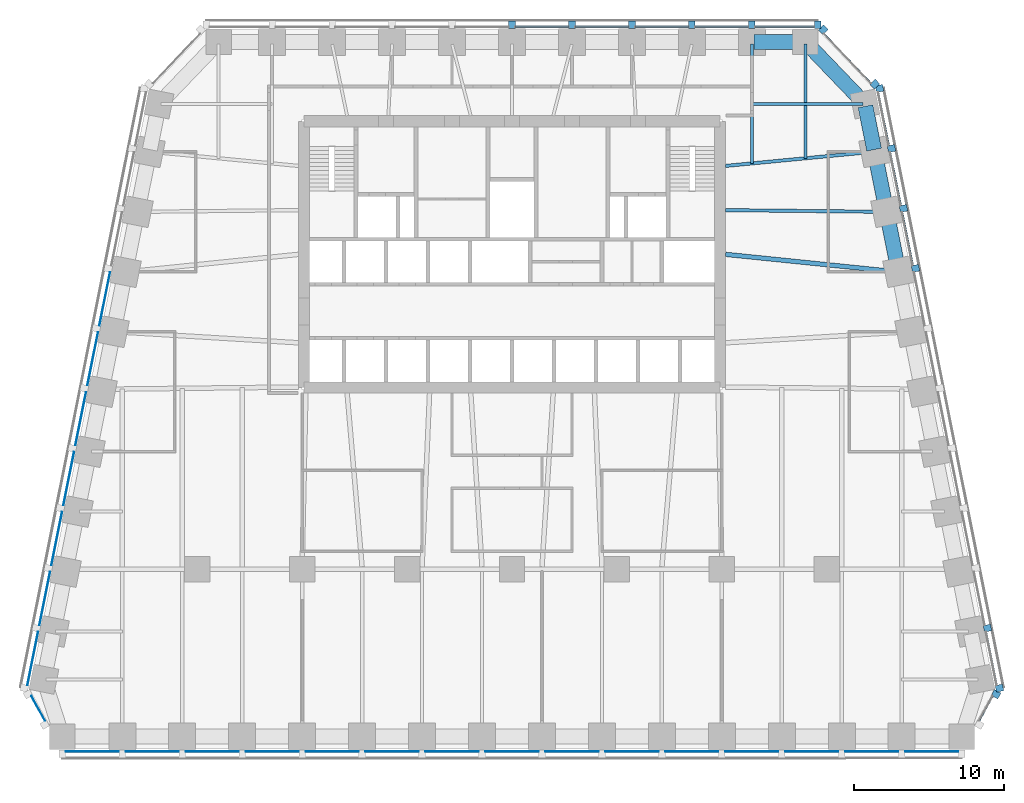
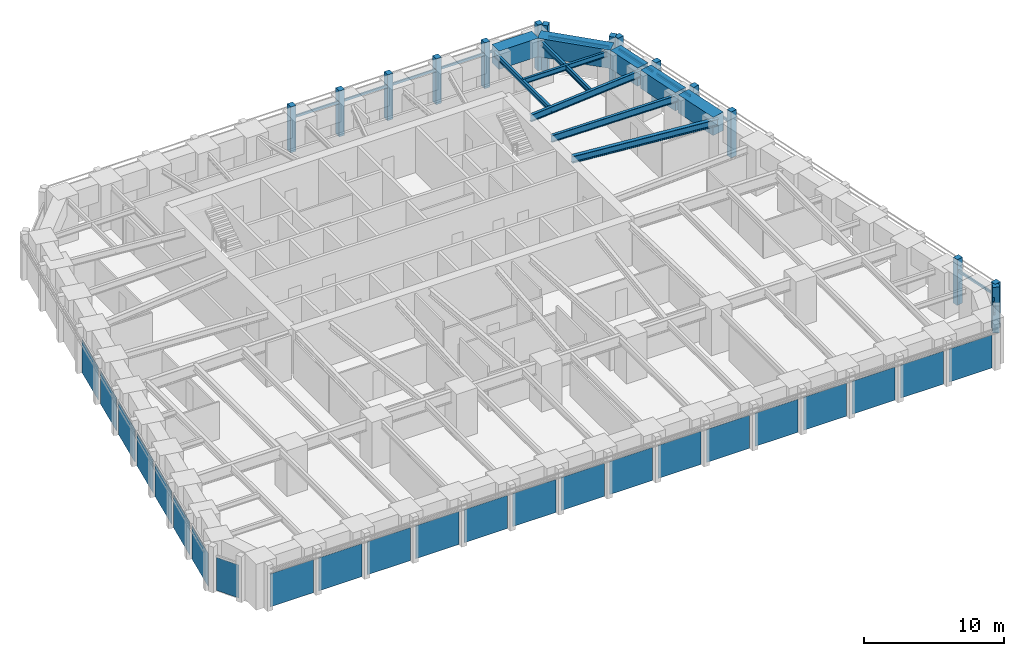
# One storey, part 4 of 10: 26 members, 23 plates, 11 beams, 7 elements without a shape of their own.
"""IFC4 building model written with IfcOpenShell, lengths in metres."""

import ifcopenshell
import ifcopenshell.guid

model = None  # the IFC model being written
_history = None  # IfcOwnerHistory: only IFC2X3 demands one
_inside = {}  # id of a spatial element -> (the spatial element, [elements in it])
_under = {}  # id of a project, library or spatial element -> (it, [spatial elements below it])
_declared = {}  # id of a project -> (the project, [libraries it declares])
_typed = {}  # id of a type object -> (the type object, [elements of that type])
_made_of = {}  # id of a material, layer set ... -> (it, [elements and type objects made of it])


def new_model(schema):
    """Start an empty IFC model of exactly this schema.

    Asked for "IFC4X3", IfcOpenShell would pick the latest addendum, in which some entities
    have other attributes; the version numbers below select the first issue.
    IFC2X3 requires an IfcOwnerHistory on every rooted entity: one is made here for all.
    """
    global model, _history
    if schema == "IFC4X3":
        model = ifcopenshell.file(schema_version=(4, 3, 0, 0))
    else:
        model = ifcopenshell.file(schema=schema)
    _inside.clear()
    _under.clear()
    _declared.clear()
    _typed.clear()
    _made_of.clear()
    _history = None
    if model.schema == "IFC2X3":
        org = make("IfcOrganization", Name="unknown")
        user = make(
            "IfcPersonAndOrganization",
            ThePerson=make("IfcPerson", FamilyName="unknown"),
            TheOrganization=org,
        )
        app = make(
            "IfcApplication",
            ApplicationDeveloper=org,
            Version="unknown",
            ApplicationFullName="unknown",
            ApplicationIdentifier="unknown",
        )
        _history = make(
            "IfcOwnerHistory",
            OwningUser=user,
            OwningApplication=app,
            ChangeAction="ADDED",
            CreationDate=0,
        )
    return model


def make(cls, **values):
    """One entity of the class cls with the attributes given. An attribute that is None is left unset."""
    return model.create_entity(
        cls, **{name: value for name, value in values.items() if value is not None}
    )


def rooted(cls, **values):
    """An entity with a GlobalId (a new one), such as an element, a storey or a relation."""
    return make(cls, GlobalId=ifcopenshell.guid.new(), OwnerHistory=_history, **values)


def si_unit(unit_type, name, prefix=None):
    """IfcSIUnit, for example si_unit("LENGTHUNIT", "METRE", prefix="MILLI")."""
    return make("IfcSIUnit", UnitType=unit_type, Prefix=prefix, Name=name)


def assignment(units):
    """IfcUnitAssignment: the units of a project."""
    return None if units is None else make("IfcUnitAssignment", Units=units)


def point(xyz):
    """IfcCartesianPoint."""
    return None if xyz is None else make("IfcCartesianPoint", Coordinates=xyz)


def direction(xyz):
    """IfcDirection."""
    return None if xyz is None else make("IfcDirection", DirectionRatios=xyz)


def frame(location, z_axis=None, x_axis=None):
    """IfcAxis2Placement3D, a coordinate frame: its origin and axes. An axis left out is left unset."""
    return make(
        "IfcAxis2Placement3D",
        Location=point(location),
        Axis=direction(z_axis),
        RefDirection=direction(x_axis),
    )


def frame_2d(location, x_axis=None):
    """IfcAxis2Placement2D, a coordinate frame in the plane: its origin and x axis."""
    return make(
        "IfcAxis2Placement2D", Location=point(location), RefDirection=direction(x_axis)
    )


def origin():
    """The frame at (0, 0, 0) with its axes left unset."""
    return frame((0.0, 0.0, 0.0))


def origin_2d():
    """The frame at (0, 0) in the plane with its x axis left unset."""
    return frame_2d((0.0, 0.0))


def place(relative_to, where):
    """IfcLocalPlacement: puts the frame where relative to a parent placement (None: the world)."""
    return make(
        "IfcLocalPlacement", PlacementRelTo=relative_to, RelativePlacement=where
    )


def context(
    kind, dimensions, precision=None, world=None, true_north=None, identifier=None
):
    """IfcGeometricRepresentationContext, for example the 3D "Model" context."""
    return make(
        "IfcGeometricRepresentationContext",
        ContextIdentifier=identifier,
        ContextType=kind,
        CoordinateSpaceDimension=dimensions,
        Precision=precision,
        WorldCoordinateSystem=world,
        TrueNorth=true_north,
    )


def subcontext(parent, identifier, kind, view, scale=None):
    """IfcGeometricRepresentationSubContext, for example "Body" below "Model"."""
    return make(
        "IfcGeometricRepresentationSubContext",
        ContextIdentifier=identifier,
        ContextType=kind,
        ParentContext=parent,
        TargetScale=scale,
        TargetView=view,
    )


def project(units=None, contexts=None):
    """IfcProject with its units and contexts."""
    return rooted(
        "IfcProject",
        Name="project",
        RepresentationContexts=contexts,
        UnitsInContext=assignment(units),
    )


def spatial(cls, under=None, at=None, **own):
    """A site, building, storey or space (cls), placed at a placement, below another one or the project."""
    s = rooted(cls, ObjectPlacement=at, **own)
    if under is not None:
        _under.setdefault(under.id(), (under, []))[1].append(s)
    return s


def profile(cls, at=None, kind="AREA", **sizes):
    """A parametric profile (cls). Its sizes go by their IFC names, for example OverallWidth=200.0."""
    return make(cls, ProfileType=kind, Position=at, **sizes)


def rectangle(**sizes):
    """IfcRectangleProfileDef."""
    return profile("IfcRectangleProfileDef", **sizes)


def i_section(**sizes):
    """IfcIShapeProfileDef."""
    return profile("IfcIShapeProfileDef", **sizes)


def extrude(swept, where, along, depth):
    """IfcExtrudedAreaSolid: the profile swept, set in the frame where, extruded along a direction by depth."""
    return make(
        "IfcExtrudedAreaSolid",
        SweptArea=swept,
        Position=where,
        ExtrudedDirection=direction(along),
        Depth=depth,
    )


def shape(context_of_items, identifier, shape_type, items):
    """IfcShapeRepresentation: the items that make up one representation, for example the "Body"."""
    return make(
        "IfcShapeRepresentation",
        ContextOfItems=context_of_items,
        RepresentationIdentifier=identifier,
        RepresentationType=shape_type,
        Items=items,
    )


def material(Name=None, Category=None):
    """IfcMaterial."""
    return make("IfcMaterial", Name=Name, Category=Category)


def layer(
    of_material, thickness, ventilated=None, Name=None, Category=None, Priority=None
):
    """IfcMaterialLayer: one layer of a wall or slab, of a material (None: an air gap)."""
    return make(
        "IfcMaterialLayer",
        Material=of_material,
        LayerThickness=thickness,
        IsVentilated=ventilated,
        Name=Name,
        Category=Category,
        Priority=Priority,
    )


def layer_set(layers, Name=None):
    """IfcMaterialLayerSet."""
    return make("IfcMaterialLayerSet", MaterialLayers=layers, LayerSetName=Name)


def material_profile(
    of_material, cross_section, Name=None, Category=None, Priority=None
):
    """IfcMaterialProfile: a cross section and its material."""
    return make(
        "IfcMaterialProfile",
        Name=Name,
        Material=of_material,
        Profile=cross_section,
        Priority=Priority,
        Category=Category,
    )


def profile_set(profiles, Name=None, composite=None):
    """IfcMaterialProfileSet."""
    return make(
        "IfcMaterialProfileSet",
        Name=Name,
        MaterialProfiles=profiles,
        CompositeProfile=composite,
    )


def made_of(thing, what):
    """Note that an element or type object is made of a material, layer set ...; save() writes the relation."""
    if what is not None:
        _made_of.setdefault(what.id(), (what, []))[1].append(thing)
    return thing


def type_object(cls, material=None, **own):
    """A type object (cls), such as IfcWallType, which elements share."""
    return made_of(rooted(cls, **own), material)


def element(
    cls,
    number,
    at=None,
    inside=None,
    cuts=None,
    type_object=None,
    material=None,
    context=None,
    identifier="Body",
    shape_type=None,
    held_by="IfcProductDefinitionShape",
    body=None,
    shapes=None,
    **own,
):
    """One element of the class cls, such as IfcWall. Its Tag is "e" and its number.

    at: its placement. inside: the storey or other place that contains it. cuts: it is an
    opening in that element (IfcRelVoidsElement). A single representation is given by context,
    identifier, shape_type and body (its items); several are given by shapes. held_by: the class
    of the entity that holds the representations. save() writes the other relations.
    """
    e = rooted(cls, Tag="e%d" % number, ObjectPlacement=at, **own)
    if body is not None:
        shapes = [shape(context, identifier, shape_type, body)]
    if shapes is not None:
        e.Representation = make(held_by, Representations=shapes)
    if inside is not None:
        _inside.setdefault(inside.id(), (inside, []))[1].append(e)
    if cuts is not None:
        rooted(
            "IfcRelVoidsElement", RelatingBuildingElement=cuts, RelatedOpeningElement=e
        )
    if type_object is not None:
        _typed.setdefault(type_object.id(), (type_object, []))[1].append(e)
    return made_of(e, material)


def aggregate(whole, parts):
    """IfcRelAggregates: a whole, such as a stair, and the parts it consists of."""
    return rooted("IfcRelAggregates", RelatingObject=whole, RelatedObjects=parts)


def save(model, path):
    """Write the relations noted so far, then the file.

    IfcRelAggregates (storeys below a building ...), IfcRelContainedInSpatialStructure (elements
    in a storey), IfcRelDefinesByType, IfcRelAssociatesMaterial and IfcRelDeclares: one each for
    every whole, place, type object, material and project.
    """
    for whole, parts in _under.values():
        aggregate(whole, parts)
    for where, things in _inside.values():
        rooted(
            "IfcRelContainedInSpatialStructure",
            RelatedElements=things,
            RelatingStructure=where,
        )
    for kind, things in _typed.values():
        rooted("IfcRelDefinesByType", RelatedObjects=things, RelatingType=kind)
    for what, things in _made_of.values():
        rooted("IfcRelAssociatesMaterial", RelatedObjects=things, RelatingMaterial=what)
    for by, libraries in _declared.values():
        rooted("IfcRelDeclares", RelatingContext=by, RelatedDefinitions=libraries)
    model.write(path)


model = new_model("IFC4")

# Units and contexts
model_context = context("Model", 3, precision=1e-05, world=origin(), true_north=direction((0.0, 1.0)))
body_context = subcontext(model_context, "Body", "Model", "MODEL_VIEW")
ifc_project = project(units=[si_unit("LENGTHUNIT", "METRE"), si_unit("AREAUNIT", "SQUARE_METRE"), si_unit("VOLUMEUNIT", "CUBIC_METRE"), si_unit("PLANEANGLEUNIT", "RADIAN"), si_unit("MASSUNIT", "GRAM", prefix="KILO")], contexts=[model_context])

# Site, building, storey
site_placement = place(None, origin())
site = spatial("IfcSite", under=ifc_project, at=site_placement, CompositionType="ELEMENT")
building_placement = place(site_placement, origin())
building = spatial("IfcBuilding", under=site, at=building_placement, Name="Isbrekke Arena Tower", CompositionType="ELEMENT")
storey_placement = place(building_placement, frame((0.0, 0.0, 143.0)))
storey = spatial("IfcBuildingStorey", under=building, at=storey_placement, Name="L32", CompositionType="ELEMENT", Elevation=143.0)

# Beams
ifc_material_1 = material(Name="Steel S355", Category="steel")
ifc_material_profile_1 = material_profile(ifc_material_1, i_section(OverallWidth=0.219970703125, OverallDepth=0.60009765625, WebThickness=0.011962890625, FlangeThickness=0.01904296875, FilletRadius=0.02392578125, at=origin_2d()), Name="IPE 600")
ifc_profile_set_1 = profile_set([ifc_material_profile_1], Name="Steel S355")
beam_type_1 = type_object("IfcBeamType", Name="B1 IPE 600", PredefinedType="BEAM", material=ifc_profile_set_1)
beam_1_placement = place(storey_placement, frame((24.83984375, 17.838134765625, 3.550048828125), z_axis=(-0.999944260169, 0.010558245831, 0.0), x_axis=(-0.010558245831, -0.999944260169, 0.0)))
element("IfcBeam", 1, at=beam_1_placement, inside=storey, type_object=beam_type_1, Name="B1 beam E-E09 L32", PredefinedType="BEAM", context=body_context, shape_type="SweptSolid", body=[
    extrude(i_section(OverallWidth=0.219970703125, OverallDepth=0.60009765625, WebThickness=0.011962890625, FlangeThickness=0.01904296875, FilletRadius=0.02392578125, at=origin_2d()), origin(), (0.0, 0.0, 1.0), 10.59033203125),
])
beam_2_placement = place(storey_placement, frame((24.030517578125, 21.837158203125, 3.550048828125), z_axis=(-0.995439798606, -0.095391862082, 0.0), x_axis=(0.095391862082, -0.995439798606, 0.0)))
element("IfcBeam", 2, at=beam_2_placement, inside=storey, type_object=beam_type_1, Name="B1 beam E-E10 L32", PredefinedType="BEAM", context=body_context, shape_type="SweptSolid", body=[
    extrude(i_section(OverallWidth=0.219970703125, OverallDepth=0.60009765625, WebThickness=0.011962890625, FlangeThickness=0.01904296875, FilletRadius=0.02392578125, at=origin_2d()), origin(), (0.0, 0.0, 1.0), 9.825439453125),
])
ifc_material_2 = material(Name="Steel S355", Category="steel")
ifc_material_profile_2 = material_profile(ifc_material_2, i_section(OverallWidth=0.18994140625, OverallDepth=0.449951171875, WebThickness=0.009521484375, FlangeThickness=0.0146484375, FilletRadius=0.02099609375, at=origin_2d()), Name="IPE 450")
ifc_profile_set_2 = profile_set([ifc_material_profile_2], Name="Steel S355")
beam_type_2 = type_object("IfcBeamType", Name="B2 IPE 450", PredefinedType="BEAM", material=ifc_profile_set_2)
beam_3_placement = place(storey_placement, frame((23.40283203125, 25.029296875, 3.625), z_axis=(-1.0, 0.0, 0.0), x_axis=(0.0, -1.0, 0.0)))
element("IfcBeam", 3, at=beam_3_placement, inside=storey, type_object=beam_type_2, Name="B2 beam E-E11 L32", PredefinedType="BEAM", context=body_context, shape_type="SweptSolid", body=[
    extrude(i_section(OverallWidth=0.18994140625, OverallDepth=0.449951171875, WebThickness=0.009521484375, FlangeThickness=0.0146484375, FilletRadius=0.02099609375, at=origin_2d()), origin(), (0.0, 0.0, 1.0), 7.40283203125),
])
ifc_material_3 = material(Name="Steel S355", Category="steel")
ifc_material_profile_3 = material_profile(ifc_material_3, i_section(OverallWidth=0.18994140625, OverallDepth=0.449951171875, WebThickness=0.009521484375, FlangeThickness=0.0146484375, FilletRadius=0.02099609375, at=origin_2d()), Name="IPE 450")
ifc_profile_set_3 = profile_set([ifc_material_profile_3], Name="Steel S355")
beam_type_3 = type_object("IfcBeamType", Name="B3 IPE 450", PredefinedType="BEAM", material=ifc_profile_set_3)
beam_4_placement = place(storey_placement, frame((19.574951171875, 29.02490234375, 3.625), z_axis=(0.0, -1.0, 0.0), x_axis=(1.0, 0.0, 0.0)))
element("IfcBeam", 4, at=beam_4_placement, inside=storey, type_object=beam_type_3, Name="B3 beam N-N01 L32", PredefinedType="BEAM", context=body_context, shape_type="SweptSolid", body=[
    extrude(i_section(OverallWidth=0.18994140625, OverallDepth=0.449951171875, WebThickness=0.009521484375, FlangeThickness=0.0146484375, FilletRadius=0.02099609375, at=origin_2d()), origin(), (0.0, 0.0, 1.0), 7.61474609375),
])
beam_5_placement = place(storey_placement, frame((16.0, 29.02490234375, 3.625), z_axis=(0.0, -1.0, 0.0), x_axis=(1.0, 0.0, 0.0)))
element("IfcBeam", 5, at=beam_5_placement, inside=storey, type_object=beam_type_3, Name="B3 beam N-N02 L32", PredefinedType="BEAM", context=body_context, shape_type="SweptSolid", body=[
    extrude(i_section(OverallWidth=0.18994140625, OverallDepth=0.449951171875, WebThickness=0.009521484375, FlangeThickness=0.0146484375, FilletRadius=0.02099609375, at=origin_2d()), origin(), (0.0, 0.0, 1.0), 7.957275390625),
])
ifc_material_4 = material(Name="Steel S355", Category="steel")
ifc_material_profile_4 = material_profile(ifc_material_4, i_section(OverallWidth=0.300048828125, OverallDepth=0.60009765625, WebThickness=0.015380859375, FlangeThickness=0.030029296875, FilletRadius=0.027099609375, at=origin_2d()), Name="HEB 600")
ifc_profile_set_4 = profile_set([ifc_material_profile_4], Name="Steel S355")
beam_type_4 = type_object("IfcBeamType", Name="B7 HEB 600", PredefinedType="BEAM", material=ifc_profile_set_4)
beam_6_placement = place(storey_placement, frame((25.6259765625, 13.83984375, 3.550048828125), z_axis=(-0.994839949319, 0.10145676537, 0.0), x_axis=(-0.10145676537, -0.994839949319, 0.0)))
element("IfcBeam", 6, at=beam_6_placement, inside=storey, type_object=beam_type_4, Name="B7 beam E-E08 L32", PredefinedType="BEAM", context=body_context, shape_type="SweptSolid", body=[
    extrude(i_section(OverallWidth=0.300048828125, OverallDepth=0.60009765625, WebThickness=0.015380859375, FlangeThickness=0.030029296875, FilletRadius=0.027099609375, at=origin_2d()), origin(), (0.0, 0.0, 1.0), 11.43505859375),
])

# Curtain wall, member
ifc_material_5 = material(Name="Glazed aluminium curtain wall", Category="aluminium")
curtain_wall_type = type_object("IfcCurtainWallType", Name="CWM TOWER CURTAIN WALL MID ZONE", PredefinedType="USERDEFINED", material=ifc_material_5)
curtain_wall_1_placement = place(storey_placement, origin())
curtain_wall_1 = element("IfcCurtainWall", 7, at=curtain_wall_1_placement, inside=storey, type_object=curtain_wall_type, Name="CWM curtain wall L32-SE", ObjectType="TOWER CURTAIN WALL MID ZONE", PredefinedType="USERDEFINED")
ifc_material_6 = material(Name="Aluminium mullion, pale brick slip cladding", Category="masonry")
ifc_material_profile_5 = material_profile(ifc_material_6, rectangle(XDim=0.449951171875, YDim=0.5, at=origin_2d()), Name="PIER 450X500")
ifc_profile_set_5 = profile_set([ifc_material_profile_5], Name="Aluminium mullion, pale brick slip cladding")
member_type_1 = type_object("IfcMemberType", Name="CWM-M PIER MULLION 450 x 500", PredefinedType="MULLION", material=ifc_profile_set_5)
member_1_placement = place(storey_placement, frame((32.296142578125, -14.34375, 0.0), z_axis=(0.0, 0.0, 1.0), x_axis=(0.481918749773, 0.876215908676, 0.0)))
member_1 = element("IfcMember", 8, at=member_1_placement, type_object=member_type_1, Name="CWM-M mullion 2", PredefinedType="MULLION", context=body_context, shape_type="SweptSolid", body=[
    extrude(rectangle(XDim=0.449951171875, YDim=0.5, at=origin_2d()), origin(), (0.0, 0.0, 1.0), 4.0),
])

# Curtain wall, members
curtain_wall_2_placement = place(storey_placement, origin())
curtain_wall_2 = element("IfcCurtainWall", 9, at=curtain_wall_2_placement, inside=storey, type_object=curtain_wall_type, Name="CWM curtain wall L32-E", ObjectType="TOWER CURTAIN WALL MID ZONE", PredefinedType="USERDEFINED")
member_2_placement = place(storey_placement, frame((32.518798828125, -13.936279296875, 0.0), z_axis=(0.0, 0.0, 1.0), x_axis=(-0.196116135138, 0.980580675691, 0.0)))
member_2 = element("IfcMember", 10, at=member_2_placement, type_object=member_type_1, Name="CWM-M mullion 1", PredefinedType="MULLION", context=body_context, shape_type="SweptSolid", body=[
    extrude(rectangle(XDim=0.449951171875, YDim=0.5, at=origin_2d()), origin(), (0.0, 0.0, 1.0), 4.0),
])
member_3_placement = place(storey_placement, frame((31.71875, -9.936279296875, 0.0), z_axis=(0.0, 0.0, 1.0), x_axis=(-0.196116135138, 0.980580675691, 0.0)))
member_3 = element("IfcMember", 11, at=member_3_placement, type_object=member_type_1, Name="CWM-M mullion 2", PredefinedType="MULLION", context=body_context, shape_type="SweptSolid", body=[
    extrude(rectangle(XDim=0.449951171875, YDim=0.5, at=origin_2d()), origin(), (0.0, 0.0, 1.0), 4.0),
])
member_4_placement = place(storey_placement, frame((26.918701171875, 14.063720703125, 0.0), z_axis=(0.0, 0.0, 1.0), x_axis=(-0.196116135138, 0.980580675691, 0.0)))
member_4 = element("IfcMember", 12, at=member_4_placement, type_object=member_type_1, Name="CWM-M mullion 8", PredefinedType="MULLION", context=body_context, shape_type="SweptSolid", body=[
    extrude(rectangle(XDim=0.449951171875, YDim=0.5, at=origin_2d()), origin(), (0.0, 0.0, 1.0), 4.0),
])
member_5_placement = place(storey_placement, frame((26.11865234375, 18.063720703125, 0.0), z_axis=(0.0, 0.0, 1.0), x_axis=(-0.196116135138, 0.980580675691, 0.0)))
member_5 = element("IfcMember", 13, at=member_5_placement, type_object=member_type_1, Name="CWM-M mullion 9", PredefinedType="MULLION", context=body_context, shape_type="SweptSolid", body=[
    extrude(rectangle(XDim=0.449951171875, YDim=0.5, at=origin_2d()), origin(), (0.0, 0.0, 1.0), 4.0),
])
member_6_placement = place(storey_placement, frame((25.318603515625, 22.063720703125, 0.0), z_axis=(0.0, 0.0, 1.0), x_axis=(-0.196116135138, 0.980580675691, 0.0)))
member_6 = element("IfcMember", 14, at=member_6_placement, type_object=member_type_1, Name="CWM-M mullion 10", PredefinedType="MULLION", context=body_context, shape_type="SweptSolid", body=[
    extrude(rectangle(XDim=0.449951171875, YDim=0.5, at=origin_2d()), origin(), (0.0, 0.0, 1.0), 4.0),
])
member_7_placement = place(storey_placement, frame((24.518798828125, 26.063720703125, 0.0), z_axis=(0.0, 0.0, 1.0), x_axis=(-0.196116135138, 0.980580675691, 0.0)))
member_7 = element("IfcMember", 15, at=member_7_placement, type_object=member_type_1, Name="CWM-M mullion 11", PredefinedType="MULLION", context=body_context, shape_type="SweptSolid", body=[
    extrude(rectangle(XDim=0.449951171875, YDim=0.5, at=origin_2d()), origin(), (0.0, 0.0, 1.0), 4.0),
])

curtain_wall_3_placement = place(storey_placement, origin())
curtain_wall_3 = element("IfcCurtainWall", 16, at=curtain_wall_3_placement, inside=storey, type_object=curtain_wall_type, Name="CWM curtain wall L32-EN", ObjectType="TOWER CURTAIN WALL MID ZONE", PredefinedType="USERDEFINED")
member_8_placement = place(storey_placement, frame((24.208251953125, 26.354248046875, 0.0), z_axis=(0.0, 0.0, 1.0), x_axis=(-0.68874946192, 0.72499943359, 0.0)))
member_8 = element("IfcMember", 17, at=member_8_placement, type_object=member_type_1, Name="CWM-M mullion 1", PredefinedType="MULLION", context=body_context, shape_type="SweptSolid", body=[
    extrude(rectangle(XDim=0.449951171875, YDim=0.5, at=origin_2d()), origin(), (0.0, 0.0, 1.0), 4.0),
])
member_9_placement = place(storey_placement, frame((20.7587890625, 29.9853515625, 0.0), z_axis=(0.0, 0.0, 1.0), x_axis=(-0.68874946192, 0.72499943359, 0.0)))
member_9 = element("IfcMember", 18, at=member_9_placement, type_object=member_type_1, Name="CWM-M mullion 2", PredefinedType="MULLION", context=body_context, shape_type="SweptSolid", body=[
    extrude(rectangle(XDim=0.449951171875, YDim=0.5, at=origin_2d()), origin(), (0.0, 0.0, 1.0), 4.0),
])

curtain_wall_4_placement = place(storey_placement, origin())
curtain_wall_4 = element("IfcCurtainWall", 19, at=curtain_wall_4_placement, inside=storey, type_object=curtain_wall_type, Name="CWM curtain wall L32-N", ObjectType="TOWER CURTAIN WALL MID ZONE", PredefinedType="USERDEFINED")
member_10_placement = place(storey_placement, frame((20.39990234375, 30.324951171875, 0.0), z_axis=(0.0, 0.0, 1.0), x_axis=(-1.0, 0.0, 0.0)))
member_10 = element("IfcMember", 20, at=member_10_placement, type_object=member_type_1, Name="CWM-M mullion 1", PredefinedType="MULLION", context=body_context, shape_type="SweptSolid", body=[
    extrude(rectangle(XDim=0.449951171875, YDim=0.5, at=origin_2d()), origin(), (0.0, 0.0, 1.0), 4.0),
])
member_11_placement = place(storey_placement, frame((16.0, 30.324951171875, 0.0), z_axis=(0.0, 0.0, 1.0), x_axis=(-1.0, 0.0, 0.0)))
member_11 = element("IfcMember", 21, at=member_11_placement, type_object=member_type_1, Name="CWM-M mullion 2", PredefinedType="MULLION", context=body_context, shape_type="SweptSolid", body=[
    extrude(rectangle(XDim=0.449951171875, YDim=0.5, at=origin_2d()), origin(), (0.0, 0.0, 1.0), 4.0),
])
member_12_placement = place(storey_placement, frame((12.0, 30.324951171875, 0.0), z_axis=(0.0, 0.0, 1.0), x_axis=(-1.0, 0.0, 0.0)))
member_12 = element("IfcMember", 22, at=member_12_placement, type_object=member_type_1, Name="CWM-M mullion 3", PredefinedType="MULLION", context=body_context, shape_type="SweptSolid", body=[
    extrude(rectangle(XDim=0.449951171875, YDim=0.5, at=origin_2d()), origin(), (0.0, 0.0, 1.0), 4.0),
])
member_13_placement = place(storey_placement, frame((8.0, 30.324951171875, 0.0), z_axis=(0.0, 0.0, 1.0), x_axis=(-1.0, 0.0, 0.0)))
member_13 = element("IfcMember", 23, at=member_13_placement, type_object=member_type_1, Name="CWM-M mullion 4", PredefinedType="MULLION", context=body_context, shape_type="SweptSolid", body=[
    extrude(rectangle(XDim=0.449951171875, YDim=0.5, at=origin_2d()), origin(), (0.0, 0.0, 1.0), 4.0),
])
member_14_placement = place(storey_placement, frame((4.0, 30.324951171875, 0.0), z_axis=(0.0, 0.0, 1.0), x_axis=(-1.0, 0.0, 0.0)))
member_14 = element("IfcMember", 24, at=member_14_placement, type_object=member_type_1, Name="CWM-M mullion 5", PredefinedType="MULLION", context=body_context, shape_type="SweptSolid", body=[
    extrude(rectangle(XDim=0.449951171875, YDim=0.5, at=origin_2d()), origin(), (0.0, 0.0, 1.0), 4.0),
])
member_15_placement = place(storey_placement, frame((0.0, 30.324951171875, 0.0), z_axis=(0.0, 0.0, 1.0), x_axis=(-1.0, 0.0, 0.0)))
member_15 = element("IfcMember", 25, at=member_15_placement, type_object=member_type_1, Name="CWM-M mullion 6", PredefinedType="MULLION", context=body_context, shape_type="SweptSolid", body=[
    extrude(rectangle(XDim=0.449951171875, YDim=0.5, at=origin_2d()), origin(), (0.0, 0.0, 1.0), 4.0),
])

# Member
ifc_material_7 = material(Name="Aluminium transom", Category="aluminium")
ifc_material_profile_6 = material_profile(ifc_material_7, rectangle(XDim=0.1201171875, YDim=0.199951171875, at=origin_2d()), Name="TRANSOM 120X200")
ifc_profile_set_6 = profile_set([ifc_material_profile_6], Name="Aluminium transom")
member_type_2 = type_object("IfcMemberType", Name="CWM-T TRANSOM 120 x 200", PredefinedType="USERDEFINED", material=ifc_profile_set_6)
member_16_placement = place(storey_placement, frame((31.152099609375, -16.112548828125, 3.0), z_axis=(0.482003669577, 0.876169197424, 0.0), x_axis=(-0.876169197424, 0.482003669577, 0.0)))
member_16 = element("IfcMember", 26, at=member_16_placement, type_object=member_type_2, Name="CWM-T transom 1", ObjectType="TRANSOM", PredefinedType="USERDEFINED", context=body_context, shape_type="SweptSolid", body=[
    extrude(rectangle(XDim=0.1201171875, YDim=0.199951171875, at=origin_2d()), origin(), (0.0, 0.0, 1.0), 1.876220703125),
])

aggregate(curtain_wall_1, [member_1, member_16])

member_17_placement = place(storey_placement, frame((32.327392578125, -13.7451171875, 3.0), z_axis=(-0.196090262229, 0.980585849918, 0.0), x_axis=(-0.980585849918, -0.196090262229, 0.0)))
member_17 = element("IfcMember", 27, at=member_17_placement, type_object=member_type_2, Name="CWM-T transom 1", ObjectType="TRANSOM", PredefinedType="USERDEFINED", context=body_context, shape_type="SweptSolid", body=[
    extrude(rectangle(XDim=0.1201171875, YDim=0.199951171875, at=origin_2d()), origin(), (0.0, 0.0, 1.0), 3.62939453125),
])

member_18_placement = place(storey_placement, frame((26.7275390625, 14.2548828125, 3.0), z_axis=(-0.196154943734, 0.980572913173, 0.0), x_axis=(-0.980572913173, -0.196154943734, 0.0)))
member_18 = element("IfcMember", 28, at=member_18_placement, type_object=member_type_2, Name="CWM-T transom 8", ObjectType="TRANSOM", PredefinedType="USERDEFINED", context=body_context, shape_type="SweptSolid", body=[
    extrude(rectangle(XDim=0.1201171875, YDim=0.199951171875, at=origin_2d()), origin(), (0.0, 0.0, 1.0), 3.62939453125),
])

member_19_placement = place(storey_placement, frame((25.927490234375, 18.2548828125, 3.0), z_axis=(-0.196090262229, 0.980585849918, 0.0), x_axis=(-0.980585849918, -0.196090262229, 0.0)))
member_19 = element("IfcMember", 29, at=member_19_placement, type_object=member_type_2, Name="CWM-T transom 9", ObjectType="TRANSOM", PredefinedType="USERDEFINED", context=body_context, shape_type="SweptSolid", body=[
    extrude(rectangle(XDim=0.1201171875, YDim=0.199951171875, at=origin_2d()), origin(), (0.0, 0.0, 1.0), 3.62939453125),
])

member_20_placement = place(storey_placement, frame((25.12744140625, 22.2548828125, 3.0), z_axis=(-0.196090262229, 0.980585849918, 0.0), x_axis=(-0.980585849918, -0.196090262229, 0.0)))
member_20 = element("IfcMember", 30, at=member_20_placement, type_object=member_type_2, Name="CWM-T transom 10", ObjectType="TRANSOM", PredefinedType="USERDEFINED", context=body_context, shape_type="SweptSolid", body=[
    extrude(rectangle(XDim=0.1201171875, YDim=0.199951171875, at=origin_2d()), origin(), (0.0, 0.0, 1.0), 3.62939453125),
])

aggregate(curtain_wall_2, [member_2, member_3, member_4, member_5, member_6, member_7, member_17, member_18, member_19, member_20])

member_21_placement = place(storey_placement, frame((23.944580078125, 26.4140625, 3.0), z_axis=(-0.688771983213, 0.724978037696, 0.0), x_axis=(-0.724978037696, -0.688771983213, 0.0)))
member_21 = element("IfcMember", 31, at=member_21_placement, type_object=member_type_2, Name="CWM-T transom 1", ObjectType="TRANSOM", PredefinedType="USERDEFINED", context=body_context, shape_type="SweptSolid", body=[
    extrude(rectangle(XDim=0.1201171875, YDim=0.199951171875, at=origin_2d()), origin(), (0.0, 0.0, 1.0), 4.558349609375),
])

aggregate(curtain_wall_3, [member_8, member_9, member_21])

member_22_placement = place(storey_placement, frame((20.175048828125, 30.175048828125, 3.0), z_axis=(-1.0, 0.0, 0.0), x_axis=(0.0, -1.0, 0.0)))
member_22 = element("IfcMember", 32, at=member_22_placement, type_object=member_type_2, Name="CWM-T transom 1", ObjectType="TRANSOM", PredefinedType="USERDEFINED", context=body_context, shape_type="SweptSolid", body=[
    extrude(rectangle(XDim=0.1201171875, YDim=0.199951171875, at=origin_2d()), origin(), (0.0, 0.0, 1.0), 3.949951171875),
])

member_23_placement = place(storey_placement, frame((15.77490234375, 30.175048828125, 3.0), z_axis=(-1.0, 0.0, 0.0), x_axis=(0.0, -1.0, 0.0)))
member_23 = element("IfcMember", 33, at=member_23_placement, type_object=member_type_2, Name="CWM-T transom 2", ObjectType="TRANSOM", PredefinedType="USERDEFINED", context=body_context, shape_type="SweptSolid", body=[
    extrude(rectangle(XDim=0.1201171875, YDim=0.199951171875, at=origin_2d()), origin(), (0.0, 0.0, 1.0), 3.5498046875),
])

member_24_placement = place(storey_placement, frame((11.77490234375, 30.175048828125, 3.0), z_axis=(-1.0, 0.0, 0.0), x_axis=(0.0, -1.0, 0.0)))
member_24 = element("IfcMember", 34, at=member_24_placement, type_object=member_type_2, Name="CWM-T transom 3", ObjectType="TRANSOM", PredefinedType="USERDEFINED", context=body_context, shape_type="SweptSolid", body=[
    extrude(rectangle(XDim=0.1201171875, YDim=0.199951171875, at=origin_2d()), origin(), (0.0, 0.0, 1.0), 3.5498046875),
])

member_25_placement = place(storey_placement, frame((7.77490234375, 30.175048828125, 3.0), z_axis=(-1.0, 0.0, 0.0), x_axis=(0.0, -1.0, 0.0)))
member_25 = element("IfcMember", 35, at=member_25_placement, type_object=member_type_2, Name="CWM-T transom 4", ObjectType="TRANSOM", PredefinedType="USERDEFINED", context=body_context, shape_type="SweptSolid", body=[
    extrude(rectangle(XDim=0.1201171875, YDim=0.199951171875, at=origin_2d()), origin(), (0.0, 0.0, 1.0), 3.5498046875),
])

member_26_placement = place(storey_placement, frame((3.77490234375, 30.175048828125, 3.0), z_axis=(-1.0, 0.0, 0.0), x_axis=(0.0, -1.0, 0.0)))
member_26 = element("IfcMember", 36, at=member_26_placement, type_object=member_type_2, Name="CWM-T transom 5", ObjectType="TRANSOM", PredefinedType="USERDEFINED", context=body_context, shape_type="SweptSolid", body=[
    extrude(rectangle(XDim=0.1201171875, YDim=0.199951171875, at=origin_2d()), origin(), (0.0, 0.0, 1.0), 3.5498046875),
])

aggregate(curtain_wall_4, [member_10, member_11, member_12, member_13, member_14, member_15, member_22, member_23, member_24, member_25, member_26])

# Beams
ifc_material_8 = material(Name="Concrete B80 (C80/95)", Category="concrete")
ifc_material_profile_7 = material_profile(ifc_material_8, rectangle(XDim=1.0, YDim=1.60009765625, at=origin_2d()), Name="RC 1000x1600")
ifc_profile_set_7 = profile_set([ifc_material_profile_7], Name="Concrete B80 (C80/95)")
beam_type_5 = type_object("IfcBeamType", Name="SB2 RC 1000 x 1600", PredefinedType="SPANDREL", material=ifc_profile_set_7)
for number, where, z_axis, x_axis, name in (
    (37, (25.76171875, 13.9853515625, 3.199951171875), (-0.196128558387, 0.980578190959, 0.0), (-0.980578190959, -0.196128558387, 0.0), "SB2 spandrel E08-E09 L32"),
    (38, (24.961669921875, 17.9853515625, 3.199951171875), (-0.196128558387, 0.980578190959, 0.0), (-0.980578190959, -0.196128558387, 0.0), "SB2 spandrel E09-E10 L32"),
):
    element("IfcBeam", number, at=place(storey_placement, frame(where, z_axis=z_axis, x_axis=x_axis)), inside=storey, type_object=beam_type_5, Name=name, PredefinedType="SPANDREL", context=body_context, shape_type="SweptSolid", body=[
        extrude(rectangle(XDim=1.0, YDim=1.60009765625, at=origin_2d()), origin(), (0.0, 0.0, 1.0), 3.779296875),
    ])
beam_7_placement = place(storey_placement, frame((24.16162109375, 21.9853515625, 3.199951171875), z_axis=(-0.196116135138, 0.980580675691, 0.0), x_axis=(-0.980580675691, -0.196116135138, 0.0)))
element("IfcBeam", 39, at=beam_7_placement, inside=storey, type_object=beam_type_5, Name="SB2 spandrel E10-E11 L32", PredefinedType="SPANDREL", context=body_context, shape_type="SweptSolid", body=[
    extrude(rectangle(XDim=1.0, YDim=1.60009765625, at=origin_2d()), origin(), (0.0, 0.0, 1.0), 2.9541015625),
])
beam_8_placement = place(storey_placement, frame((23.448974609375, 25.137451171875, 3.199951171875), z_axis=(-0.692339547635, 0.721571861134, 0.0), x_axis=(-0.721571861134, -0.692339547635, 0.0)))
element("IfcBeam", 40, at=beam_8_placement, inside=storey, type_object=beam_type_5, Name="SB2 spandrel E11-N01 L32", PredefinedType="SPANDREL", context=body_context, shape_type="SweptSolid", body=[
    extrude(rectangle(XDim=1.0, YDim=1.60009765625, at=origin_2d()), origin(), (0.0, 0.0, 1.0), 5.4453125),
])
beam_9_placement = place(storey_placement, frame((19.425048828125, 29.175048828125, 3.199951171875), z_axis=(-1.0, 0.0, 0.0), x_axis=(0.0, -1.0, 0.0)))
element("IfcBeam", 41, at=beam_9_placement, inside=storey, type_object=beam_type_5, Name="SB2 spandrel N01-N02 L32", PredefinedType="SPANDREL", context=body_context, shape_type="SweptSolid", body=[
    extrude(rectangle(XDim=1.0, YDim=1.60009765625, at=origin_2d()), origin(), (0.0, 0.0, 1.0), 3.275146484375),
])

# Curtain wall, plates
curtain_wall_5_placement = place(storey_placement, origin())
curtain_wall_5 = element("IfcCurtainWall", 42, at=curtain_wall_5_placement, inside=storey, type_object=curtain_wall_type, Name="CWM curtain wall L32-S", ObjectType="TOWER CURTAIN WALL MID ZONE", PredefinedType="USERDEFINED")
ifc_material_9 = material(Name="Triple-glazed clear glass unit", Category="glass")
ifc_layer = layer(ifc_material_9, 0.031982421875)
ifc_layer_set = layer_set([ifc_layer], Name="CWM-P VISION PANEL")
plate_type = type_object("IfcPlateType", Name="CWM-P VISION PANEL", PredefinedType="CURTAIN_PANEL", material=ifc_layer_set)
plate_1_placement = place(storey_placement, frame((-28.0, -18.175048828125, 0.02001953125), z_axis=(0.0, 0.0, 1.0), x_axis=(1.0, 0.0, 0.0)))
plate_1 = element("IfcPlate", 43, at=plate_1_placement, type_object=plate_type, Name="CWM-P panel 1", PredefinedType="CURTAIN_PANEL", context=body_context, shape_type="SweptSolid", body=[
    extrude(rectangle(XDim=3.550048828125, YDim=0.031982421875, at=origin_2d()), origin(), (0.0, 0.0, 1.0), 2.8798828125),
])
plate_2_placement = place(storey_placement, frame((-24.0, -18.175048828125, 0.02001953125), z_axis=(0.0, 0.0, 1.0), x_axis=(1.0, 0.0, 0.0)))
plate_2 = element("IfcPlate", 44, at=plate_2_placement, type_object=plate_type, Name="CWM-P panel 2", PredefinedType="CURTAIN_PANEL", context=body_context, shape_type="SweptSolid", body=[
    extrude(rectangle(XDim=3.550048828125, YDim=0.031982421875, at=origin_2d()), origin(), (0.0, 0.0, 1.0), 2.8798828125),
])
plate_3_placement = place(storey_placement, frame((-20.0, -18.175048828125, 0.02001953125), z_axis=(0.0, 0.0, 1.0), x_axis=(1.0, 0.0, 0.0)))
plate_3 = element("IfcPlate", 45, at=plate_3_placement, type_object=plate_type, Name="CWM-P panel 3", PredefinedType="CURTAIN_PANEL", context=body_context, shape_type="SweptSolid", body=[
    extrude(rectangle(XDim=3.550048828125, YDim=0.031982421875, at=origin_2d()), origin(), (0.0, 0.0, 1.0), 2.8798828125),
])
plate_4_placement = place(storey_placement, frame((-16.0, -18.175048828125, 0.02001953125), z_axis=(0.0, 0.0, 1.0), x_axis=(1.0, 0.0, 0.0)))
plate_4 = element("IfcPlate", 46, at=plate_4_placement, type_object=plate_type, Name="CWM-P panel 4", PredefinedType="CURTAIN_PANEL", context=body_context, shape_type="SweptSolid", body=[
    extrude(rectangle(XDim=3.550048828125, YDim=0.031982421875, at=origin_2d()), origin(), (0.0, 0.0, 1.0), 2.8798828125),
])
plate_5_placement = place(storey_placement, frame((-12.0, -18.175048828125, 0.02001953125), z_axis=(0.0, 0.0, 1.0), x_axis=(1.0, 0.0, 0.0)))
plate_5 = element("IfcPlate", 47, at=plate_5_placement, type_object=plate_type, Name="CWM-P panel 5", PredefinedType="CURTAIN_PANEL", context=body_context, shape_type="SweptSolid", body=[
    extrude(rectangle(XDim=3.550048828125, YDim=0.031982421875, at=origin_2d()), origin(), (0.0, 0.0, 1.0), 2.8798828125),
])
plate_6_placement = place(storey_placement, frame((-8.0, -18.175048828125, 0.02001953125), z_axis=(0.0, 0.0, 1.0), x_axis=(1.0, 0.0, 0.0)))
plate_6 = element("IfcPlate", 48, at=plate_6_placement, type_object=plate_type, Name="CWM-P panel 6", PredefinedType="CURTAIN_PANEL", context=body_context, shape_type="SweptSolid", body=[
    extrude(rectangle(XDim=3.550048828125, YDim=0.031982421875, at=origin_2d()), origin(), (0.0, 0.0, 1.0), 2.8798828125),
])
plate_7_placement = place(storey_placement, frame((-4.0, -18.175048828125, 0.02001953125), z_axis=(0.0, 0.0, 1.0), x_axis=(1.0, 0.0, 0.0)))
plate_7 = element("IfcPlate", 49, at=plate_7_placement, type_object=plate_type, Name="CWM-P panel 7", PredefinedType="CURTAIN_PANEL", context=body_context, shape_type="SweptSolid", body=[
    extrude(rectangle(XDim=3.550048828125, YDim=0.031982421875, at=origin_2d()), origin(), (0.0, 0.0, 1.0), 2.8798828125),
])
plate_8_placement = place(storey_placement, frame((0.0, -18.175048828125, 0.02001953125), z_axis=(0.0, 0.0, 1.0), x_axis=(1.0, 0.0, 0.0)))
plate_8 = element("IfcPlate", 50, at=plate_8_placement, type_object=plate_type, Name="CWM-P panel 8", PredefinedType="CURTAIN_PANEL", context=body_context, shape_type="SweptSolid", body=[
    extrude(rectangle(XDim=3.550048828125, YDim=0.031982421875, at=origin_2d()), origin(), (0.0, 0.0, 1.0), 2.8798828125),
])
plate_9_placement = place(storey_placement, frame((4.0, -18.175048828125, 0.02001953125), z_axis=(0.0, 0.0, 1.0), x_axis=(1.0, 0.0, 0.0)))
plate_9 = element("IfcPlate", 51, at=plate_9_placement, type_object=plate_type, Name="CWM-P panel 9", PredefinedType="CURTAIN_PANEL", context=body_context, shape_type="SweptSolid", body=[
    extrude(rectangle(XDim=3.550048828125, YDim=0.031982421875, at=origin_2d()), origin(), (0.0, 0.0, 1.0), 2.8798828125),
])
plate_10_placement = place(storey_placement, frame((8.0, -18.175048828125, 0.02001953125), z_axis=(0.0, 0.0, 1.0), x_axis=(1.0, 0.0, 0.0)))
plate_10 = element("IfcPlate", 52, at=plate_10_placement, type_object=plate_type, Name="CWM-P panel 10", PredefinedType="CURTAIN_PANEL", context=body_context, shape_type="SweptSolid", body=[
    extrude(rectangle(XDim=3.550048828125, YDim=0.031982421875, at=origin_2d()), origin(), (0.0, 0.0, 1.0), 2.8798828125),
])
plate_11_placement = place(storey_placement, frame((12.0, -18.175048828125, 0.02001953125), z_axis=(0.0, 0.0, 1.0), x_axis=(1.0, 0.0, 0.0)))
plate_11 = element("IfcPlate", 53, at=plate_11_placement, type_object=plate_type, Name="CWM-P panel 11", PredefinedType="CURTAIN_PANEL", context=body_context, shape_type="SweptSolid", body=[
    extrude(rectangle(XDim=3.550048828125, YDim=0.031982421875, at=origin_2d()), origin(), (0.0, 0.0, 1.0), 2.8798828125),
])
plate_12_placement = place(storey_placement, frame((16.0, -18.175048828125, 0.02001953125), z_axis=(0.0, 0.0, 1.0), x_axis=(1.0, 0.0, 0.0)))
plate_12 = element("IfcPlate", 54, at=plate_12_placement, type_object=plate_type, Name="CWM-P panel 12", PredefinedType="CURTAIN_PANEL", context=body_context, shape_type="SweptSolid", body=[
    extrude(rectangle(XDim=3.550048828125, YDim=0.031982421875, at=origin_2d()), origin(), (0.0, 0.0, 1.0), 2.8798828125),
])
plate_13_placement = place(storey_placement, frame((20.0, -18.175048828125, 0.02001953125), z_axis=(0.0, 0.0, 1.0), x_axis=(1.0, 0.0, 0.0)))
plate_13 = element("IfcPlate", 55, at=plate_13_placement, type_object=plate_type, Name="CWM-P panel 13", PredefinedType="CURTAIN_PANEL", context=body_context, shape_type="SweptSolid", body=[
    extrude(rectangle(XDim=3.550048828125, YDim=0.031982421875, at=origin_2d()), origin(), (0.0, 0.0, 1.0), 2.8798828125),
])
plate_14_placement = place(storey_placement, frame((24.0, -18.175048828125, 0.02001953125), z_axis=(0.0, 0.0, 1.0), x_axis=(1.0, 0.0, 0.0)))
plate_14 = element("IfcPlate", 56, at=plate_14_placement, type_object=plate_type, Name="CWM-P panel 14", PredefinedType="CURTAIN_PANEL", context=body_context, shape_type="SweptSolid", body=[
    extrude(rectangle(XDim=3.550048828125, YDim=0.031982421875, at=origin_2d()), origin(), (0.0, 0.0, 1.0), 2.8798828125),
])
plate_15_placement = place(storey_placement, frame((28.0, -18.175048828125, 0.02001953125), z_axis=(0.0, 0.0, 1.0), x_axis=(1.0, 0.0, 0.0)))
plate_15 = element("IfcPlate", 57, at=plate_15_placement, type_object=plate_type, Name="CWM-P panel 15", PredefinedType="CURTAIN_PANEL", context=body_context, shape_type="SweptSolid", body=[
    extrude(rectangle(XDim=3.550048828125, YDim=0.031982421875, at=origin_2d()), origin(), (0.0, 0.0, 1.0), 2.8798828125),
])
aggregate(curtain_wall_5, [plate_1, plate_2, plate_3, plate_4, plate_5, plate_6, plate_7, plate_8, plate_9, plate_10, plate_11, plate_12, plate_13, plate_14, plate_15])

curtain_wall_6_placement = place(storey_placement, origin())
curtain_wall_6 = element("IfcCurtainWall", 58, at=curtain_wall_6_placement, inside=storey, type_object=curtain_wall_type, Name="CWM curtain wall L32-W", ObjectType="TOWER CURTAIN WALL MID ZONE", PredefinedType="USERDEFINED")
plate_16_placement = place(storey_placement, frame((-27.171630859375, 12.034423828125, 0.02001953125), z_axis=(0.0, 0.0, 1.0), x_axis=(-0.196116135138, -0.980580675691, 0.0)))
plate_16 = element("IfcPlate", 59, at=plate_16_placement, type_object=plate_type, Name="CWM-P panel 4", PredefinedType="CURTAIN_PANEL", context=body_context, shape_type="SweptSolid", body=[
    extrude(rectangle(XDim=3.629150390625, YDim=0.031982421875, at=origin_2d()), origin(), (0.0, 0.0, 1.0), 2.8798828125),
])
plate_17_placement = place(storey_placement, frame((-27.9716796875, 8.034423828125, 0.02001953125), z_axis=(0.0, 0.0, 1.0), x_axis=(-0.196116135138, -0.980580675691, 0.0)))
plate_17 = element("IfcPlate", 60, at=plate_17_placement, type_object=plate_type, Name="CWM-P panel 5", PredefinedType="CURTAIN_PANEL", context=body_context, shape_type="SweptSolid", body=[
    extrude(rectangle(XDim=3.629150390625, YDim=0.031982421875, at=origin_2d()), origin(), (0.0, 0.0, 1.0), 2.8798828125),
])
plate_18_placement = place(storey_placement, frame((-28.771484375, 4.034423828125, 0.02001953125), z_axis=(0.0, 0.0, 1.0), x_axis=(-0.196116135138, -0.980580675691, 0.0)))
plate_18 = element("IfcPlate", 61, at=plate_18_placement, type_object=plate_type, Name="CWM-P panel 6", PredefinedType="CURTAIN_PANEL", context=body_context, shape_type="SweptSolid", body=[
    extrude(rectangle(XDim=3.629150390625, YDim=0.031982421875, at=origin_2d()), origin(), (0.0, 0.0, 1.0), 2.8798828125),
])
plate_19_placement = place(storey_placement, frame((-29.571533203125, 0.034423828125, 0.02001953125), z_axis=(0.0, 0.0, 1.0), x_axis=(-0.196116135138, -0.980580675691, 0.0)))
plate_19 = element("IfcPlate", 62, at=plate_19_placement, type_object=plate_type, Name="CWM-P panel 7", PredefinedType="CURTAIN_PANEL", context=body_context, shape_type="SweptSolid", body=[
    extrude(rectangle(XDim=3.629150390625, YDim=0.031982421875, at=origin_2d()), origin(), (0.0, 0.0, 1.0), 2.8798828125),
])
plate_20_placement = place(storey_placement, frame((-30.37158203125, -3.965576171875, 0.02001953125), z_axis=(0.0, 0.0, 1.0), x_axis=(-0.196116135138, -0.980580675691, 0.0)))
plate_20 = element("IfcPlate", 63, at=plate_20_placement, type_object=plate_type, Name="CWM-P panel 8", PredefinedType="CURTAIN_PANEL", context=body_context, shape_type="SweptSolid", body=[
    extrude(rectangle(XDim=3.629150390625, YDim=0.031982421875, at=origin_2d()), origin(), (0.0, 0.0, 1.0), 2.8798828125),
])
plate_21_placement = place(storey_placement, frame((-31.171630859375, -7.965576171875, 0.02001953125), z_axis=(0.0, 0.0, 1.0), x_axis=(-0.196116135138, -0.980580675691, 0.0)))
plate_21 = element("IfcPlate", 64, at=plate_21_placement, type_object=plate_type, Name="CWM-P panel 9", PredefinedType="CURTAIN_PANEL", context=body_context, shape_type="SweptSolid", body=[
    extrude(rectangle(XDim=3.629150390625, YDim=0.031982421875, at=origin_2d()), origin(), (0.0, 0.0, 1.0), 2.8798828125),
])
plate_22_placement = place(storey_placement, frame((-31.9716796875, -11.965576171875, 0.02001953125), z_axis=(0.0, 0.0, 1.0), x_axis=(-0.196116135138, -0.980580675691, 0.0)))
plate_22 = element("IfcPlate", 65, at=plate_22_placement, type_object=plate_type, Name="CWM-P panel 10", PredefinedType="CURTAIN_PANEL", context=body_context, shape_type="SweptSolid", body=[
    extrude(rectangle(XDim=3.629150390625, YDim=0.031982421875, at=origin_2d()), origin(), (0.0, 0.0, 1.0), 2.8798828125),
])
aggregate(curtain_wall_6, [plate_16, plate_17, plate_18, plate_19, plate_20, plate_21, plate_22])

# Curtain wall, plate
curtain_wall_7_placement = place(storey_placement, origin())
curtain_wall_7 = element("IfcCurtainWall", 66, at=curtain_wall_7_placement, inside=storey, type_object=curtain_wall_type, Name="CWM curtain wall L32-WS", ObjectType="TOWER CURTAIN WALL MID ZONE", PredefinedType="USERDEFINED")
plate_23_placement = place(storey_placement, frame((-31.60400390625, -15.291015625, 0.02001953125), z_axis=(0.0, 0.0, 1.0), x_axis=(0.481918749773, -0.876215908676, 0.0)))
plate_23 = element("IfcPlate", 67, at=plate_23_placement, type_object=plate_type, Name="CWM-P panel 1", PredefinedType="CURTAIN_PANEL", context=body_context, shape_type="SweptSolid", body=[
    extrude(rectangle(XDim=1.878173828125, YDim=0.031982421875, at=origin_2d()), origin(), (0.0, 0.0, 1.0), 2.8798828125),
])
aggregate(curtain_wall_7, [plate_23])

save(model, "model.ifc")
